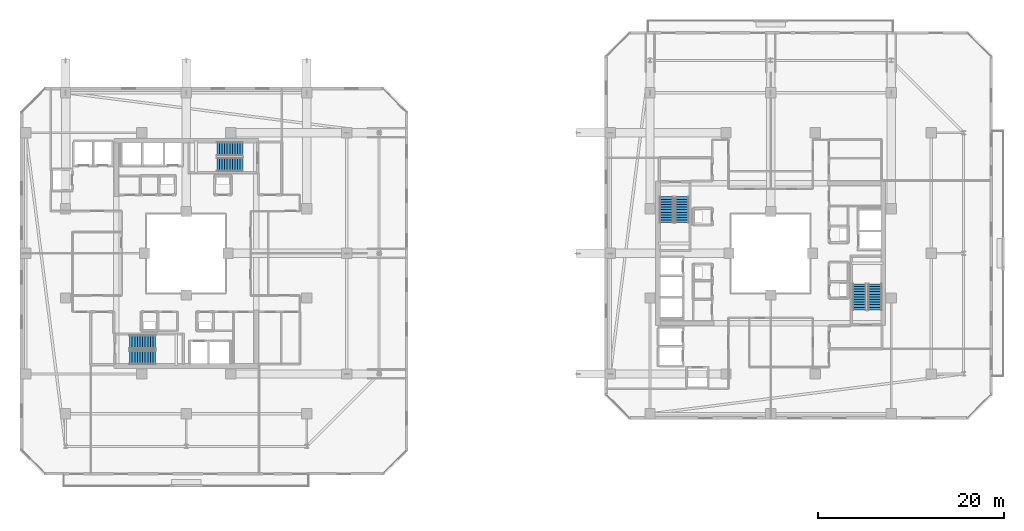
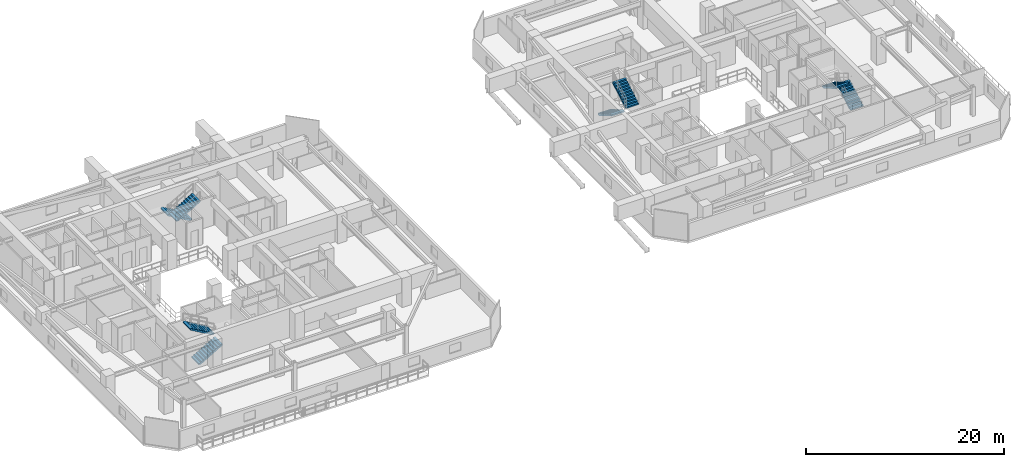
# One storey, part 30 of 36: 8 stair flights, 4 elements without a shape of their own.
"""IFC4 building model written with IfcOpenShell, lengths in metres."""

from ifc_helpers import new_model, si_unit, direction, frame, origin, place, context, subcontext, project, spatial, polyline, outline, extrude, material, type_object, element, aggregate, save


model = new_model("IFC4")

# Units and contexts
model_context = context("Model", 3, precision=1e-05, world=origin(), true_north=direction((0.0, 1.0)))
body_context = subcontext(model_context, "Body", "Model", "MODEL_VIEW")
ifc_project = project(units=[si_unit("LENGTHUNIT", "METRE"), si_unit("AREAUNIT", "SQUARE_METRE"), si_unit("VOLUMEUNIT", "CUBIC_METRE"), si_unit("PLANEANGLEUNIT", "RADIAN"), si_unit("MASSUNIT", "GRAM", prefix="KILO")], contexts=[model_context])

# Site, building, storey
site_placement = place(None, origin())
site = spatial("IfcSite", under=ifc_project, at=site_placement, CompositionType="ELEMENT")
building_placement = place(site_placement, origin())
building = spatial("IfcBuilding", under=site, at=building_placement, Name="Thornwick Lancets Civic Towers", CompositionType="ELEMENT")
storey_placement = place(building_placement, frame((0.0, 0.0, 170.699951171875)))
storey = spatial("IfcBuildingStorey", under=building, at=storey_placement, Name="L45", CompositionType="ELEMENT", Elevation=170.699951171875)

# Stair, stair flights
ifc_material = material(Name="Concrete C40/50", Category="concrete")
stair_type = type_object("IfcStairType", Name="STAIR_DL_3600", PredefinedType="HALF_TURN_STAIR", material=ifc_material)
stair_1_placement = place(storey_placement, origin())
stair_1 = element("IfcStair", 1, at=stair_1_placement, inside=storey, type_object=stair_type, Name="L45 Tower A South Exit Stair ST-A1", PredefinedType="HALF_TURN_STAIR")
stair_flight_type = type_object("IfcStairFlightType", Name="FLIGHT_3600", PredefinedType="STRAIGHT", material=ifc_material)
stair_flight_1_placement = place(storey_placement, frame((19.39990234375, 15.75, 0.0), z_axis=(0.0, 0.0, 1.0), x_axis=(1.0, 0.0, 0.0)))
stair_flight_1 = element("IfcStairFlight", 2, at=stair_flight_1_placement, type_object=stair_flight_type, Name="ST-A1 flight 1", NumberOfRisers=11, NumberOfTreads=10, PredefinedType="STRAIGHT", RiserHeight=0.163636364, TreadLength=0.28, context=body_context, shape_type="SweptSolid", body=[
    extrude(outline(polyline([(0.0, 0.0), (0.0, 0.16357421875), (0.280029296875, 0.16357421875), (0.280029296875, 0.327392578125), (0.56005859375, 0.327392578125), (0.56005859375, 0.490966796875), (0.840087890625, 0.490966796875), (0.840087890625, 0.654541015625), (1.1201171875, 0.654541015625), (1.1201171875, 0.818115234375), (1.39990234375, 0.818115234375), (1.39990234375, 0.98193359375), (1.679931640625, 0.98193359375), (1.679931640625, 1.1455078125), (1.9599609375, 1.1455078125), (1.9599609375, 1.30908203125), (2.239990234375, 1.30908203125), (2.239990234375, 1.47265625), (2.52001953125, 1.47265625), (2.52001953125, 1.636474609375), (2.800048828125, 1.636474609375), (2.800048828125, 1.800048828125), (2.800048828125, 1.462646484375), (0.297119140625, 0.0), (0.0, 0.0)])), frame((0.0, 0.75, 0.0), z_axis=(0.0, -1.0, 0.0), x_axis=(1.0, 0.0, 0.0)), (0.0, 0.0, 1.0), 1.5),
])
stair_flight_2_placement = place(storey_placement, frame((22.199951171875, 17.449951171875, 1.800048828125), z_axis=(0.0, 0.0, 1.0), x_axis=(-1.0, 0.0, 0.0)))
stair_flight_2 = element("IfcStairFlight", 3, at=stair_flight_2_placement, type_object=stair_flight_type, Name="ST-A1 flight 2", NumberOfRisers=11, NumberOfTreads=10, PredefinedType="STRAIGHT", RiserHeight=0.163636364, TreadLength=0.28, context=body_context, shape_type="SweptSolid", body=[
    extrude(outline(polyline([(0.0, 0.0), (0.0, 0.16357421875), (0.280029296875, 0.16357421875), (0.280029296875, 0.327392578125), (0.56005859375, 0.327392578125), (0.56005859375, 0.490966796875), (0.840087890625, 0.490966796875), (0.840087890625, 0.654541015625), (1.1201171875, 0.654541015625), (1.1201171875, 0.818115234375), (1.39990234375, 0.818115234375), (1.39990234375, 0.98193359375), (1.679931640625, 0.98193359375), (1.679931640625, 1.1455078125), (1.9599609375, 1.1455078125), (1.9599609375, 1.30908203125), (2.239990234375, 1.30908203125), (2.239990234375, 1.47265625), (2.52001953125, 1.47265625), (2.52001953125, 1.636474609375), (2.800048828125, 1.636474609375), (2.800048828125, 1.800048828125), (2.800048828125, 1.462646484375), (0.297119140625, 0.0), (0.0, 0.0)])), frame((0.0, 0.75, 0.0), z_axis=(0.0, -1.0, 0.0), x_axis=(1.0, 0.0, 0.0)), (0.0, 0.0, 1.0), 1.5),
])
aggregate(stair_1, [stair_flight_1, stair_flight_2])

stair_2_placement = place(storey_placement, origin())
stair_2 = element("IfcStair", 4, at=stair_2_placement, inside=storey, type_object=stair_type, Name="L45 Tower A North Exit Stair ST-A2", PredefinedType="HALF_TURN_STAIR")
stair_flight_3_placement = place(storey_placement, frame((31.60009765625, 38.25, 0.0), z_axis=(0.0, 0.0, 1.0), x_axis=(-1.0, 0.0, 0.0)))
stair_flight_3 = element("IfcStairFlight", 5, at=stair_flight_3_placement, type_object=stair_flight_type, Name="ST-A2 flight 1", NumberOfRisers=11, NumberOfTreads=10, PredefinedType="STRAIGHT", RiserHeight=0.163636364, TreadLength=0.28, context=body_context, shape_type="SweptSolid", body=[
    extrude(outline(polyline([(0.0, 0.0), (0.0, 0.16357421875), (0.280029296875, 0.16357421875), (0.280029296875, 0.327392578125), (0.56005859375, 0.327392578125), (0.56005859375, 0.490966796875), (0.840087890625, 0.490966796875), (0.840087890625, 0.654541015625), (1.1201171875, 0.654541015625), (1.1201171875, 0.818115234375), (1.39990234375, 0.818115234375), (1.39990234375, 0.98193359375), (1.679931640625, 0.98193359375), (1.679931640625, 1.1455078125), (1.9599609375, 1.1455078125), (1.9599609375, 1.30908203125), (2.239990234375, 1.30908203125), (2.239990234375, 1.47265625), (2.52001953125, 1.47265625), (2.52001953125, 1.636474609375), (2.800048828125, 1.636474609375), (2.800048828125, 1.800048828125), (2.800048828125, 1.462646484375), (0.297119140625, 0.0), (0.0, 0.0)])), frame((0.0, 0.75, 0.0), z_axis=(0.0, -1.0, 0.0), x_axis=(1.0, 0.0, 0.0)), (0.0, 0.0, 1.0), 1.5),
])
stair_flight_4_placement = place(storey_placement, frame((28.800048828125, 36.550048828125, 1.800048828125), z_axis=(0.0, 0.0, 1.0), x_axis=(1.0, 0.0, 0.0)))
stair_flight_4 = element("IfcStairFlight", 6, at=stair_flight_4_placement, type_object=stair_flight_type, Name="ST-A2 flight 2", NumberOfRisers=11, NumberOfTreads=10, PredefinedType="STRAIGHT", RiserHeight=0.163636364, TreadLength=0.28, context=body_context, shape_type="SweptSolid", body=[
    extrude(outline(polyline([(0.0, 0.0), (0.0, 0.16357421875), (0.280029296875, 0.16357421875), (0.280029296875, 0.327392578125), (0.56005859375, 0.327392578125), (0.56005859375, 0.490966796875), (0.840087890625, 0.490966796875), (0.840087890625, 0.654541015625), (1.1201171875, 0.654541015625), (1.1201171875, 0.818115234375), (1.39990234375, 0.818115234375), (1.39990234375, 0.98193359375), (1.679931640625, 0.98193359375), (1.679931640625, 1.1455078125), (1.9599609375, 1.1455078125), (1.9599609375, 1.30908203125), (2.239990234375, 1.30908203125), (2.239990234375, 1.47265625), (2.52001953125, 1.47265625), (2.52001953125, 1.636474609375), (2.800048828125, 1.636474609375), (2.800048828125, 1.800048828125), (2.800048828125, 1.462646484375), (0.297119140625, 0.0), (0.0, 0.0)])), frame((0.0, 0.75, 0.0), z_axis=(0.0, -1.0, 0.0), x_axis=(1.0, 0.0, 0.0)), (0.0, 0.0, 1.0), 1.5),
])
aggregate(stair_2, [stair_flight_3, stair_flight_4])

stair_3_placement = place(storey_placement, origin())
stair_3 = element("IfcStair", 7, at=stair_3_placement, inside=storey, type_object=stair_type, Name="L45 Tower B East Exit Stair ST-B1", PredefinedType="HALF_TURN_STAIR")
stair_flight_5_placement = place(storey_placement, frame((99.75, 20.89990234375, 0.0), z_axis=(0.0, 0.0, 1.0), x_axis=(0.0, 1.0, 0.0)))
stair_flight_5 = element("IfcStairFlight", 8, at=stair_flight_5_placement, type_object=stair_flight_type, Name="ST-B1 flight 1", NumberOfRisers=11, NumberOfTreads=10, PredefinedType="STRAIGHT", RiserHeight=0.163636364, TreadLength=0.28, context=body_context, shape_type="SweptSolid", body=[
    extrude(outline(polyline([(0.0, 0.0), (0.0, 0.16357421875), (0.280029296875, 0.16357421875), (0.280029296875, 0.327392578125), (0.56005859375, 0.327392578125), (0.56005859375, 0.490966796875), (0.840087890625, 0.490966796875), (0.840087890625, 0.654541015625), (1.1201171875, 0.654541015625), (1.1201171875, 0.818115234375), (1.39990234375, 0.818115234375), (1.39990234375, 0.98193359375), (1.679931640625, 0.98193359375), (1.679931640625, 1.1455078125), (1.9599609375, 1.1455078125), (1.9599609375, 1.30908203125), (2.239990234375, 1.30908203125), (2.239990234375, 1.47265625), (2.52001953125, 1.47265625), (2.52001953125, 1.636474609375), (2.800048828125, 1.636474609375), (2.800048828125, 1.800048828125), (2.800048828125, 1.462646484375), (0.297119140625, 0.0), (0.0, 0.0)])), frame((0.0, 0.75, 0.0), z_axis=(0.0, -1.0, 0.0), x_axis=(1.0, 0.0, 0.0)), (0.0, 0.0, 1.0), 1.5),
])
stair_flight_6_placement = place(storey_placement, frame((98.050048828125, 23.699951171875, 1.800048828125), z_axis=(0.0, 0.0, 1.0), x_axis=(0.0, -1.0, 0.0)))
stair_flight_6 = element("IfcStairFlight", 9, at=stair_flight_6_placement, type_object=stair_flight_type, Name="ST-B1 flight 2", NumberOfRisers=11, NumberOfTreads=10, PredefinedType="STRAIGHT", RiserHeight=0.163636364, TreadLength=0.28, context=body_context, shape_type="SweptSolid", body=[
    extrude(outline(polyline([(0.0, 0.0), (0.0, 0.16357421875), (0.280029296875, 0.16357421875), (0.280029296875, 0.327392578125), (0.56005859375, 0.327392578125), (0.56005859375, 0.490966796875), (0.840087890625, 0.490966796875), (0.840087890625, 0.654541015625), (1.1201171875, 0.654541015625), (1.1201171875, 0.818115234375), (1.39990234375, 0.818115234375), (1.39990234375, 0.98193359375), (1.679931640625, 0.98193359375), (1.679931640625, 1.1455078125), (1.9599609375, 1.1455078125), (1.9599609375, 1.30908203125), (2.239990234375, 1.30908203125), (2.239990234375, 1.47265625), (2.52001953125, 1.47265625), (2.52001953125, 1.636474609375), (2.800048828125, 1.636474609375), (2.800048828125, 1.800048828125), (2.800048828125, 1.462646484375), (0.297119140625, 0.0), (0.0, 0.0)])), frame((0.0, 0.75, 0.0), z_axis=(0.0, -1.0, 0.0), x_axis=(1.0, 0.0, 0.0)), (0.0, 0.0, 1.0), 1.5),
])
aggregate(stair_3, [stair_flight_5, stair_flight_6])

stair_4_placement = place(storey_placement, origin())
stair_4 = element("IfcStair", 10, at=stair_4_placement, inside=storey, type_object=stair_type, Name="L45 Tower B West Exit Stair ST-B2", PredefinedType="HALF_TURN_STAIR")
stair_flight_7_placement = place(storey_placement, frame((77.25, 33.10009765625, 0.0), z_axis=(0.0, 0.0, 1.0), x_axis=(0.0, -1.0, 0.0)))
stair_flight_7 = element("IfcStairFlight", 11, at=stair_flight_7_placement, type_object=stair_flight_type, Name="ST-B2 flight 1", NumberOfRisers=11, NumberOfTreads=10, PredefinedType="STRAIGHT", RiserHeight=0.163636364, TreadLength=0.28, context=body_context, shape_type="SweptSolid", body=[
    extrude(outline(polyline([(0.0, 0.0), (0.0, 0.16357421875), (0.280029296875, 0.16357421875), (0.280029296875, 0.327392578125), (0.56005859375, 0.327392578125), (0.56005859375, 0.490966796875), (0.840087890625, 0.490966796875), (0.840087890625, 0.654541015625), (1.1201171875, 0.654541015625), (1.1201171875, 0.818115234375), (1.39990234375, 0.818115234375), (1.39990234375, 0.98193359375), (1.679931640625, 0.98193359375), (1.679931640625, 1.1455078125), (1.9599609375, 1.1455078125), (1.9599609375, 1.30908203125), (2.239990234375, 1.30908203125), (2.239990234375, 1.47265625), (2.52001953125, 1.47265625), (2.52001953125, 1.636474609375), (2.800048828125, 1.636474609375), (2.800048828125, 1.800048828125), (2.800048828125, 1.462646484375), (0.297119140625, 0.0), (0.0, 0.0)])), frame((0.0, 0.75, 0.0), z_axis=(0.0, -1.0, 0.0), x_axis=(1.0, 0.0, 0.0)), (0.0, 0.0, 1.0), 1.5),
])
stair_flight_8_placement = place(storey_placement, frame((78.949951171875, 30.300048828125, 1.800048828125), z_axis=(0.0, 0.0, 1.0), x_axis=(0.0, 1.0, 0.0)))
stair_flight_8 = element("IfcStairFlight", 12, at=stair_flight_8_placement, type_object=stair_flight_type, Name="ST-B2 flight 2", NumberOfRisers=11, NumberOfTreads=10, PredefinedType="STRAIGHT", RiserHeight=0.163636364, TreadLength=0.28, context=body_context, shape_type="SweptSolid", body=[
    extrude(outline(polyline([(0.0, 0.0), (0.0, 0.16357421875), (0.280029296875, 0.16357421875), (0.280029296875, 0.327392578125), (0.56005859375, 0.327392578125), (0.56005859375, 0.490966796875), (0.840087890625, 0.490966796875), (0.840087890625, 0.654541015625), (1.1201171875, 0.654541015625), (1.1201171875, 0.818115234375), (1.39990234375, 0.818115234375), (1.39990234375, 0.98193359375), (1.679931640625, 0.98193359375), (1.679931640625, 1.1455078125), (1.9599609375, 1.1455078125), (1.9599609375, 1.30908203125), (2.239990234375, 1.30908203125), (2.239990234375, 1.47265625), (2.52001953125, 1.47265625), (2.52001953125, 1.636474609375), (2.800048828125, 1.636474609375), (2.800048828125, 1.800048828125), (2.800048828125, 1.462646484375), (0.297119140625, 0.0), (0.0, 0.0)])), frame((0.0, 0.75, 0.0), z_axis=(0.0, -1.0, 0.0), x_axis=(1.0, 0.0, 0.0)), (0.0, 0.0, 1.0), 1.5),
])
aggregate(stair_4, [stair_flight_7, stair_flight_8])

save(model, "model.ifc")
